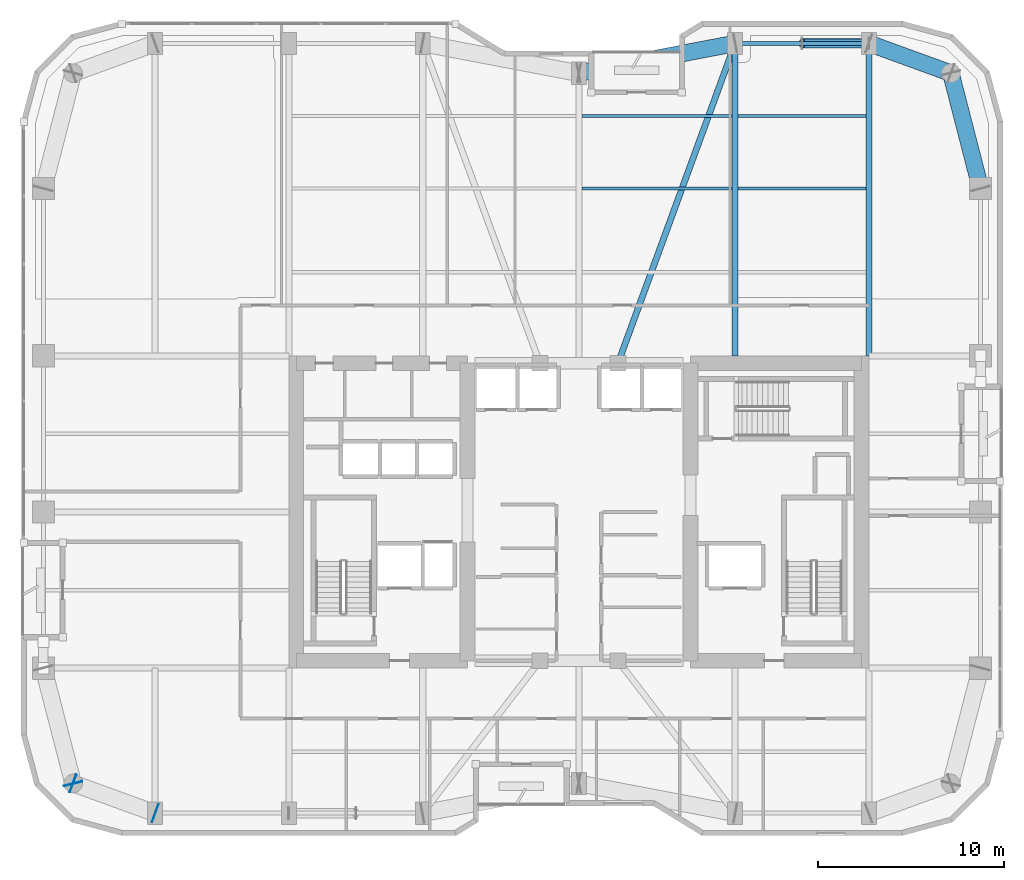
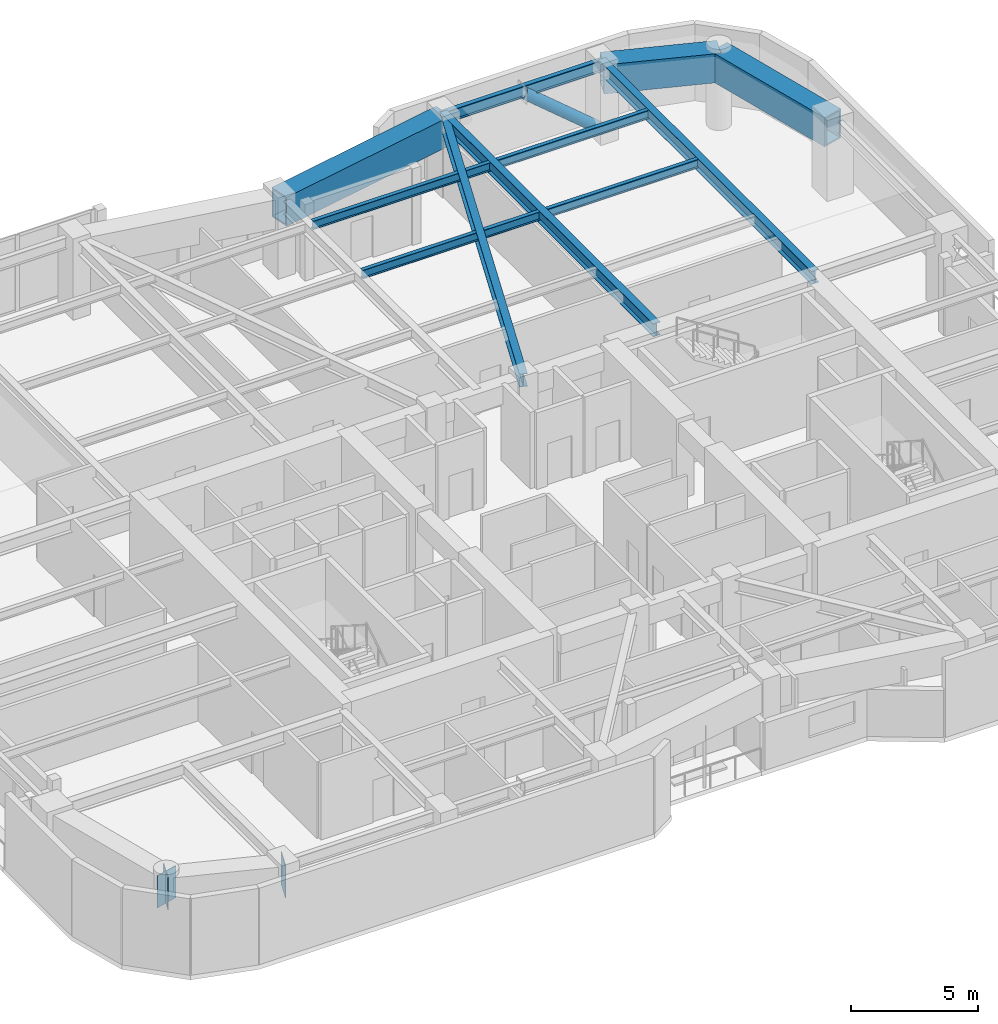
# One storey, part 20 of 30: 11 beams, 3 plates, 1 member.
"""IFC4 building model written with IfcOpenShell, lengths in metres."""

from ifc_helpers import new_model, si_unit, direction, frame, origin, origin_2d, place, context, subcontext, project, spatial, rectangle, hollow_rectangle, hollow_circle, i_section, extrude, material, layer, layer_set, material_profile, profile_set, type_object, element, save


model = new_model("IFC4")

# Units and contexts
model_context = context("Model", 3, precision=1e-05, world=origin(), true_north=direction((0.0, 1.0)))
body_context = subcontext(model_context, "Body", "Model", "MODEL_VIEW")
ifc_project = project(units=[si_unit("LENGTHUNIT", "METRE"), si_unit("AREAUNIT", "SQUARE_METRE"), si_unit("VOLUMEUNIT", "CUBIC_METRE"), si_unit("PLANEANGLEUNIT", "RADIAN"), si_unit("MASSUNIT", "GRAM", prefix="KILO")], contexts=[model_context])

# Site, building, storey
site_placement = place(None, origin())
site = spatial("IfcSite", under=ifc_project, at=site_placement, CompositionType="ELEMENT")
building_placement = place(site_placement, origin())
building = spatial("IfcBuilding", under=site, at=building_placement, Name="Kiyonajd Concourse Tower", CompositionType="ELEMENT")
storey_placement = place(building_placement, frame((0.0, 0.0, 166.199951171875)))
storey = spatial("IfcBuildingStorey", under=building, at=storey_placement, Name="L42", CompositionType="ELEMENT", Elevation=166.199951171875)

# Beams
ifc_material_1 = material(Name="Steel ASTM A992 Grade 50", Category="steel")
ifc_material_profile_1 = material_profile(ifc_material_1, i_section(OverallWidth=0.180908203125, OverallDepth=0.4169921875, WebThickness=0.010986328125, FlangeThickness=0.018310546875, at=origin_2d()), Name="W410X85")
ifc_profile_set_1 = profile_set([ifc_material_profile_1], Name="Steel ASTM A992 Grade 50")
beam_type_1 = type_object("IfcBeamType", Name="BM-JST-410", PredefinedType="JOIST", material=ifc_profile_set_1)
beam_1_placement = place(storey_placement, frame((48.16357421875, 53.39990234375, 3.471435546875), z_axis=(1.0, 0.0, 0.0), x_axis=(0.0, 1.0, 0.0)))
element("IfcBeam", 1, at=beam_1_placement, inside=storey, type_object=beam_type_1, Name="L42 Secondary Floor Joist", PredefinedType="JOIST", context=body_context, shape_type="SweptSolid", body=[
    extrude(i_section(OverallWidth=0.180908203125, OverallDepth=0.4169921875, WebThickness=0.010986328125, FlangeThickness=0.018310546875, at=origin_2d()), origin(), (0.0, 0.0, 1.0), 8.072998046875),
])
beam_2_placement = place(storey_placement, frame((56.5634765625, 53.39990234375, 3.471435546875), z_axis=(1.0, 0.0, 0.0), x_axis=(0.0, 1.0, 0.0)))
element("IfcBeam", 2, at=beam_2_placement, inside=storey, type_object=beam_type_1, Name="L42 Secondary Floor Joist", PredefinedType="JOIST", context=body_context, shape_type="SweptSolid", body=[
    extrude(i_section(OverallWidth=0.180908203125, OverallDepth=0.4169921875, WebThickness=0.010986328125, FlangeThickness=0.018310546875, at=origin_2d()), origin(), (0.0, 0.0, 1.0), 6.873046875),
])
beam_3_placement = place(storey_placement, frame((48.16357421875, 57.300048828125, 3.471435546875), z_axis=(1.0, 0.0, 0.0), x_axis=(0.0, 1.0, 0.0)))
element("IfcBeam", 3, at=beam_3_placement, inside=storey, type_object=beam_type_1, Name="L42 Secondary Floor Joist", PredefinedType="JOIST", context=body_context, shape_type="SweptSolid", body=[
    extrude(i_section(OverallWidth=0.180908203125, OverallDepth=0.4169921875, WebThickness=0.010986328125, FlangeThickness=0.018310546875, at=origin_2d()), origin(), (0.0, 0.0, 1.0), 8.072998046875),
])
beam_4_placement = place(storey_placement, frame((56.5634765625, 57.300048828125, 3.471435546875), z_axis=(1.0, 0.0, 0.0), x_axis=(0.0, 1.0, 0.0)))
element("IfcBeam", 4, at=beam_4_placement, inside=storey, type_object=beam_type_1, Name="L42 Secondary Floor Joist", PredefinedType="JOIST", context=body_context, shape_type="SweptSolid", body=[
    extrude(i_section(OverallWidth=0.180908203125, OverallDepth=0.4169921875, WebThickness=0.010986328125, FlangeThickness=0.018310546875, at=origin_2d()), origin(), (0.0, 0.0, 1.0), 6.873046875),
])
ifc_material_profile_2 = material_profile(ifc_material_1, i_section(OverallWidth=0.214111328125, OverallDepth=0.549072265625, WebThickness=0.0146484375, FlangeThickness=0.023681640625, at=origin_2d()), Name="W530X138")
ifc_profile_set_2 = profile_set([ifc_material_profile_2], Name="Steel ASTM A992 Grade 50")
beam_type_2 = type_object("IfcBeamType", Name="BM-SPAN-530A", PredefinedType="SPANDREL", material=ifc_profile_set_2)
beam_5_placement = place(storey_placement, frame((63.60009765625, 61.199951171875, 3.405517578125), z_axis=(-1.0, 0.0, 0.0), x_axis=(0.0, -1.0, 0.0)))
element("IfcBeam", 5, at=beam_5_placement, inside=storey, type_object=beam_type_2, Name="L42 Perimeter Bundled Tube Spandrel", PredefinedType="SPANDREL", context=body_context, shape_type="SweptSolid", body=[
    extrude(i_section(OverallWidth=0.214111328125, OverallDepth=0.549072265625, WebThickness=0.0146484375, FlangeThickness=0.023681640625, at=origin_2d()), origin(), (0.0, 0.0, 1.0), 7.2001953125),
])
ifc_material_profile_3 = material_profile(ifc_material_1, i_section(OverallWidth=0.326904296875, OverallDepth=0.6220703125, WebThickness=0.015380859375, FlangeThickness=0.0244140625, at=origin_2d()), Name="W610X195")
ifc_profile_set_3 = profile_set([ifc_material_profile_3], Name="Steel ASTM A992 Grade 50")
beam_type_3 = type_object("IfcBeamType", Name="BM-TWR-610A", PredefinedType="BEAM", material=ifc_profile_set_3)
beam_6_placement = place(storey_placement, frame((50.10009765625, 44.0, 3.369140625), z_axis=(0.343925269715, 0.938997022813, 0.0), x_axis=(-0.938997022813, 0.343925269715, 0.0)))
element("IfcBeam", 6, at=beam_6_placement, inside=storey, type_object=beam_type_3, Name="L42 Core Tie Girder", PredefinedType="BEAM", context=body_context, shape_type="SweptSolid", body=[
    extrude(i_section(OverallWidth=0.326904296875, OverallDepth=0.6220703125, WebThickness=0.015380859375, FlangeThickness=0.0244140625, at=origin_2d()), origin(), (0.0, 0.0, 1.0), 18.3173828125),
])
for number, where, z_axis, x_axis, name in (
    (7, (56.39990234375, 44.39990234375, 3.369140625), (0.0, 1.0, 0.0), (-1.0, 0.0, 0.0), "L42 North Lease Girder"),
    (8, (63.60009765625, 44.39990234375, 3.369140625), (0.0, 1.0, 0.0), (-1.0, 0.0, 0.0), "L42 North Lease Girder"),
):
    element("IfcBeam", number, at=place(storey_placement, frame(where, z_axis=z_axis, x_axis=x_axis)), inside=storey, type_object=beam_type_3, Name=name, PredefinedType="BEAM", context=body_context, shape_type="SweptSolid", body=[
        extrude(i_section(OverallWidth=0.326904296875, OverallDepth=0.6220703125, WebThickness=0.015380859375, FlangeThickness=0.0244140625, at=origin_2d()), origin(), (0.0, 0.0, 1.0), 16.800048828125),
    ])
ifc_material_2 = material(Name="Steel ASTM A572 Grade 50", Category="steel")
ifc_material_profile_4 = material_profile(ifc_material_2, hollow_rectangle(XDim=0.89990234375, YDim=1.39990234375, WallThickness=0.070068359375, at=origin_2d()), Name="BOX-1400x900x70")
ifc_profile_set_4 = profile_set([ifc_material_profile_4], Name="Steel ASTM A572 Grade 50")
beam_type_4 = type_object("IfcBeamType", Name="BM-XFER-1400", PredefinedType="BEAM", material=ifc_profile_set_4)
beam_7_placement = place(storey_placement, frame((69.60009765625, 53.39990234375, 2.97998046875), z_axis=(-0.249884937687, 0.968275538221, 0.0), x_axis=(-0.968275538221, -0.249884937687, 0.0)))
element("IfcBeam", 9, at=beam_7_placement, inside=storey, type_object=beam_type_4, Name="L42 Perimeter Bundled Tube Spandrel", PredefinedType="BEAM", context=body_context, shape_type="SweptSolid", body=[
    extrude(hollow_rectangle(XDim=0.89990234375, YDim=1.39990234375, WallThickness=0.070068359375, at=origin_2d()), origin(), (0.0, 0.0, 1.0), 6.4033203125),
])
beam_8_placement = place(storey_placement, frame((68.0, 59.60009765625, 2.97998046875), z_axis=(-0.939801036019, 0.341722127901, 0.0), x_axis=(-0.341722127901, -0.939801036019, 0.0)))
element("IfcBeam", 10, at=beam_8_placement, inside=storey, type_object=beam_type_4, Name="L42 Perimeter Bundled Tube Spandrel", PredefinedType="BEAM", context=body_context, shape_type="SweptSolid", body=[
    extrude(hollow_rectangle(XDim=0.89990234375, YDim=1.39990234375, WallThickness=0.070068359375, at=origin_2d()), origin(), (0.0, 0.0, 1.0), 4.681640625),
])
beam_9_placement = place(storey_placement, frame((56.39990234375, 61.199951171875, 2.97998046875), z_axis=(-0.982341315253, -0.187097675953, 0.0), x_axis=(0.187097675953, -0.982341315253, 0.0)))
element("IfcBeam", 11, at=beam_9_placement, inside=storey, type_object=beam_type_4, Name="L42 Perimeter Bundled Tube Spandrel", PredefinedType="BEAM", context=body_context, shape_type="SweptSolid", body=[
    extrude(hollow_rectangle(XDim=0.89990234375, YDim=1.39990234375, WallThickness=0.070068359375, at=origin_2d()), origin(), (0.0, 0.0, 1.0), 8.55078125),
])

# Member
ifc_material_3 = material(Name="Steel ASTM A500 Grade C", Category="steel")
ifc_material_profile_5 = material_profile(ifc_material_3, hollow_circle(Radius=0.25390625, WallThickness=0.02197265625, at=origin_2d()), Name="CHS-508x22")
ifc_profile_set_5 = profile_set([ifc_material_profile_5], Name="Steel ASTM A500 Grade C")
member_type = type_object("IfcMemberType", Name="MB-PB-MID", PredefinedType="BRACE", material=ifc_profile_set_5)
member_placement = place(storey_placement, frame((63.60009765625, 61.199951171875, 0.300048828125), z_axis=(-0.765082043761, 0.0, 0.643932811957), x_axis=(0.0, -1.0, 0.0)))
element("IfcMember", 12, at=member_placement, inside=storey, type_object=member_type, Name="L42 Upper Zone Hollow Tube Brace PBN", PredefinedType="BRACE", context=body_context, shape_type="SweptSolid", body=[
    extrude(hollow_circle(Radius=0.25390625, WallThickness=0.02197265625, at=origin_2d()), origin(), (0.0, 0.0, 1.0), 4.70556640625),
])

# Plates
ifc_layer = layer(ifc_material_2, 0.031982421875)
ifc_layer_set = layer_set([ifc_layer], Name="Steel ASTM A572 Grade 50")
plate_type = type_object("IfcPlateType", Name="PL-CAP-540", PredefinedType="USERDEFINED", material=ifc_layer_set)
for number, where, z_axis, x_axis, name in (
    (13, (20.802734375, 21.389404296875, 2.2099609375), (0.0, 0.0, 1.0), (0.249873048837, -0.968278606324, 0.0), "L42 Welded Box Girder End Cap"),
    (14, (20.789794921875, 21.40380859375, 2.2099609375), (0.0, 0.0, 1.0), (-0.939811951086, 0.341692107891, 0.0), "L42 Welded Box Girder End Cap"),
    (15, (25.210205078125, 19.796142578125, 2.2099609375), (0.0, 0.0, 1.0), (0.939811951086, -0.341692107891, 0.0), "L42 Welded Box Girder End Cap"),
):
    element("IfcPlate", number, at=place(storey_placement, frame(where, z_axis=z_axis, x_axis=x_axis)), inside=storey, type_object=plate_type, Name=name, ObjectType="CAP PLATE", PredefinedType="USERDEFINED", context=body_context, shape_type="SweptSolid", body=[
        extrude(rectangle(XDim=0.035888671875, YDim=1.02001953125, at=origin_2d()), origin(), (0.0, 0.0, 1.0), 1.5400390625),
    ])

save(model, "model.ifc")
